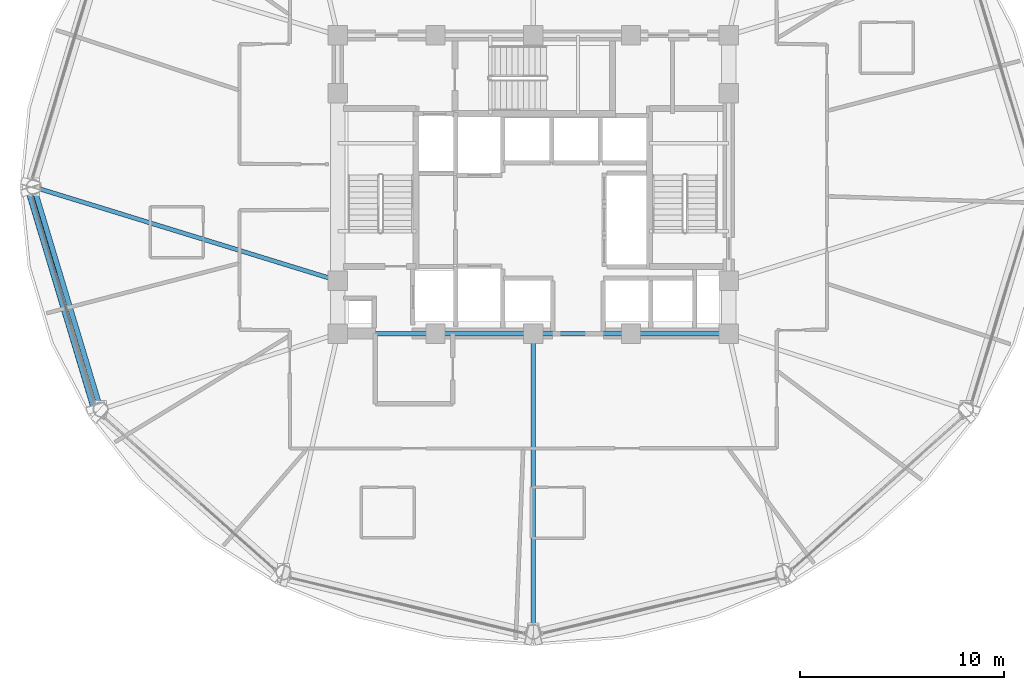
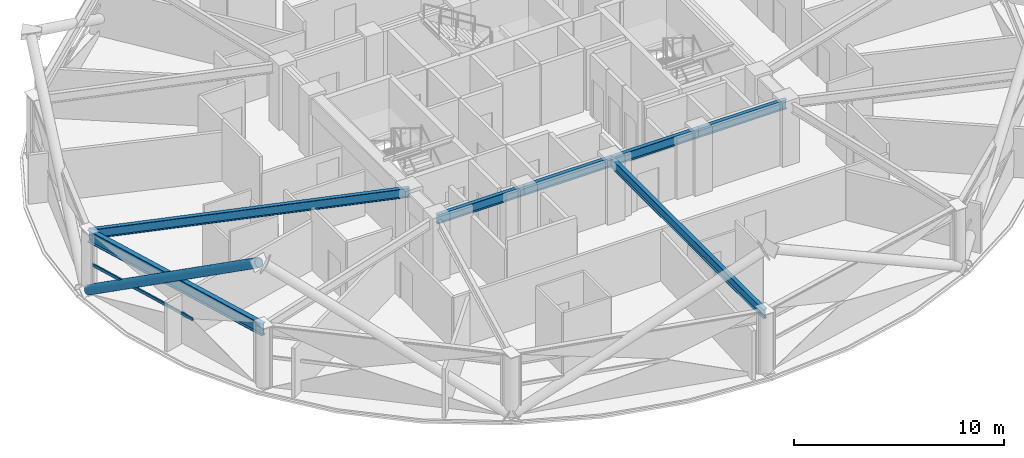
# One storey, part 5 of 29: 7 beams, 2 members, 1 element without a shape of its own.
"""IFC4 building model written with IfcOpenShell, lengths in metres."""

from ifc_helpers import new_model, si_unit, direction, frame, origin, origin_2d, place, context, subcontext, project, spatial, hollow_rectangle, hollow_circle, i_section, extrude, material, layer, layer_set, material_profile, profile_set, type_object, element, aggregate, save


model = new_model("IFC4")

# Units and contexts
model_context = context("Model", 3, precision=1e-05, world=origin(), true_north=direction((0.0, 1.0)))
body_context = subcontext(model_context, "Body", "Model", "MODEL_VIEW")
ifc_project = project(units=[si_unit("LENGTHUNIT", "METRE"), si_unit("AREAUNIT", "SQUARE_METRE"), si_unit("VOLUMEUNIT", "CUBIC_METRE"), si_unit("PLANEANGLEUNIT", "RADIAN"), si_unit("MASSUNIT", "GRAM", prefix="KILO")], contexts=[model_context])

# Site, building, storey
site_placement = place(None, origin())
site = spatial("IfcSite", under=ifc_project, at=site_placement, CompositionType="ELEMENT")
building_placement = place(site_placement, origin())
building = spatial("IfcBuilding", under=site, at=building_placement, Name="Vantalir Tower", CompositionType="ELEMENT")
storey_placement = place(building_placement, frame((0.0, 0.0, 164.699951171875)))
storey = spatial("IfcBuildingStorey", under=building, at=storey_placement, Name="L41", CompositionType="ELEMENT", Elevation=164.699951171875)

# Beams
ifc_material_1 = material(Name="Steel S355", Category="steel")
ifc_material_profile_1 = material_profile(ifc_material_1, i_section(OverallWidth=0.2109375, OverallDepth=0.5390625, WebThickness=0.01171875, FlangeThickness=0.018798828125, at=origin_2d()), Name="Steel S355")
ifc_profile_set_1 = profile_set([ifc_material_profile_1], Name="Steel S355")
beam_type_1 = type_object("IfcBeamType", Name="BM-RB-533x210", PredefinedType="BEAM", material=ifc_profile_set_1)
for number, where, z_axis, x_axis, name in (
    (1, (21.89990234375, 17.800048828125, 3.301025390625), (1.0, 0.0, 0.0), (0.0, 1.0, 0.0), "L41 Core Coupling Girder 01"),
    (2, (26.699951171875, 17.800048828125, 3.301025390625), (1.0, 0.0, 0.0), (0.0, 1.0, 0.0), "L41 Core Coupling Girder 02"),
    (3, (31.5, 17.800048828125, 3.301025390625), (1.0, 0.0, 0.0), (0.0, 1.0, 0.0), "L41 Core Coupling Girder 03"),
    (4, (36.300048828125, 17.800048828125, 3.301025390625), (1.0, 0.0, 0.0), (0.0, 1.0, 0.0), "L41 Core Coupling Girder 04"),
):
    element("IfcBeam", number, at=place(storey_placement, frame(where, z_axis=z_axis, x_axis=x_axis)), inside=storey, type_object=beam_type_1, Name=name, PredefinedType="BEAM", context=body_context, shape_type="SweptSolid", body=[
        extrude(i_section(OverallWidth=0.2109375, OverallDepth=0.5390625, WebThickness=0.01171875, FlangeThickness=0.018798828125, at=origin_2d()), origin(), (0.0, 0.0, 1.0), 4.800048828125),
    ])
beam_1_placement = place(storey_placement, frame((6.964111328125, 25.0, 3.301025390625), z_axis=(0.955698583761, -0.294347102918, 0.0), x_axis=(0.294347102918, 0.955698583761, 0.0)))
element("IfcBeam", 5, at=beam_1_placement, inside=storey, type_object=beam_type_1, Name="L41 Radial Floor Beam 07", PredefinedType="BEAM", context=body_context, shape_type="SweptSolid", body=[
    extrude(i_section(OverallWidth=0.2109375, OverallDepth=0.5390625, WebThickness=0.01171875, FlangeThickness=0.018798828125, at=origin_2d()), origin(), (0.0, 0.0, 1.0), 15.628173828125),
])
beam_2_placement = place(storey_placement, frame((31.5, 3.152099609375, 3.301025390625), z_axis=(0.0, 1.0, 0.0), x_axis=(-1.0, 0.0, 0.0)))
element("IfcBeam", 6, at=beam_2_placement, inside=storey, type_object=beam_type_1, Name="L41 Radial Floor Beam 10", PredefinedType="BEAM", context=body_context, shape_type="SweptSolid", body=[
    extrude(i_section(OverallWidth=0.2109375, OverallDepth=0.5390625, WebThickness=0.01171875, FlangeThickness=0.018798828125, at=origin_2d()), origin(), (0.0, 0.0, 1.0), 14.64794921875),
])
ifc_material_2 = material(Name="Steel S460", Category="steel")
ifc_material_profile_2 = material_profile(ifc_material_2, i_section(OverallWidth=0.256103515625, OverallDepth=0.693115234375, WebThickness=0.014404296875, FlangeThickness=0.023681640625, at=origin_2d()), Name="Steel S460")
ifc_profile_set_2 = profile_set([ifc_material_profile_2], Name="Steel S460")
beam_type_2 = type_object("IfcBeamType", Name="BM-RG-686x254", PredefinedType="USERDEFINED", material=ifc_profile_set_2)
beam_3_placement = place(storey_placement, frame((6.964111328125, 25.0, 3.22412109375), z_axis=(0.288123336704, -0.957593307645, 0.0), x_axis=(0.957593307645, 0.288123336704, 0.0)))
element("IfcBeam", 7, at=beam_3_placement, inside=storey, type_object=beam_type_2, Name="L41 Circumferential Ring Girder 07", ObjectType="GIRDER", PredefinedType="USERDEFINED", context=body_context, shape_type="SweptSolid", body=[
    extrude(i_section(OverallWidth=0.256103515625, OverallDepth=0.693115234375, WebThickness=0.014404296875, FlangeThickness=0.023681640625, at=origin_2d()), origin(), (0.0, 0.0, 1.0), 11.407958984375),
])

# Curtain wall, member
ifc_material_3 = material(Name="Champagne-silver PVDF aluminium and double-silver Low-E glass", Category="aluminium")
ifc_layer = layer(ifc_material_3, 0.199951171875)
ifc_layer_set = layer_set([ifc_layer], Name="Champagne-silver PVDF aluminium and double-silver Low-E glass")
curtain_wall_type = type_object("IfcCurtainWallType", Name="CW-DIAMOND-Z2", PredefinedType="USERDEFINED", material=ifc_layer_set)
curtain_wall_placement = place(storey_placement, origin())
curtain_wall = element("IfcCurtainWall", 8, at=curtain_wall_placement, inside=storey, type_object=curtain_wall_type, Name="L41 Quilted Pyramid-Diamond Curtain Wall S07", ObjectType="UNITISED CURTAIN WALL", PredefinedType="USERDEFINED")
ifc_material_4 = material(Name="Champagne-silver PVDF aluminium 6063-T6", Category="aluminium")
ifc_material_profile_3 = material_profile(ifc_material_4, hollow_rectangle(XDim=0.074951171875, YDim=0.159912109375, WallThickness=0.00390625, at=origin_2d()), Name="Champagne-silver PVDF aluminium 6063-T6")
ifc_profile_set_3 = profile_set([ifc_material_profile_3], Name="Champagne-silver PVDF aluminium 6063-T6")
member_type_1 = type_object("IfcMemberType", Name="CWT-160x75", PredefinedType="USERDEFINED", material=ifc_profile_set_3)
member_1_placement = place(storey_placement, frame((6.90087890625, 24.5791015625, 1.78515625), z_axis=(0.284446632904, -0.958691875959, 0.0), x_axis=(0.958691875959, 0.284446632904, 0.0)))
member_1 = element("IfcMember", 9, at=member_1_placement, type_object=member_type_1, Name="CW-L41-S07 Pyramid Fold Ridge Transom", ObjectType="TRANSOM", PredefinedType="USERDEFINED", context=body_context, shape_type="SweptSolid", body=[
    extrude(hollow_rectangle(XDim=0.074951171875, YDim=0.159912109375, WallThickness=0.00390625, at=origin_2d()), origin(), (0.0, 0.0, 1.0), 6.58837890625),
])
aggregate(curtain_wall, [member_1])

# Member
ifc_material_profile_4 = material_profile(ifc_material_2, hollow_circle(Radius=0.260009765625, WallThickness=0.0380859375, at=origin_2d()), Name="Steel S460")
ifc_profile_set_4 = profile_set([ifc_material_profile_4], Name="Steel S460")
member_type_2 = type_object("IfcMemberType", Name="MEM-DB-520x38", PredefinedType="BRACE", material=ifc_profile_set_4)
member_2_placement = place(storey_placement, frame((6.827880859375, 24.821044921875, 0.196044921875), z_axis=(0.244435254211, -0.813071197508, 0.528362218826), x_axis=(0.957659533198, 0.287903140786, 0.0)))
element("IfcMember", 10, at=member_2_placement, inside=storey, type_object=member_type_2, Name="L41 Perimeter S460 Diagrid Brace R19L", PredefinedType="BRACE", context=body_context, shape_type="SweptSolid", body=[
    extrude(hollow_circle(Radius=0.260009765625, WallThickness=0.0380859375, at=origin_2d()), origin(), (0.0, 0.0, 1.0), 13.112060546875),
])

save(model, "model.ifc")
